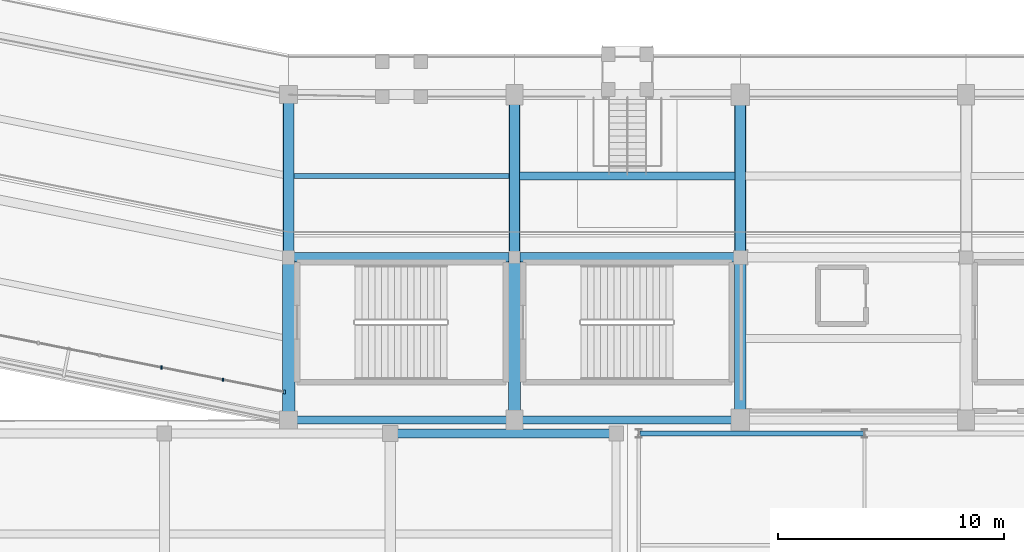
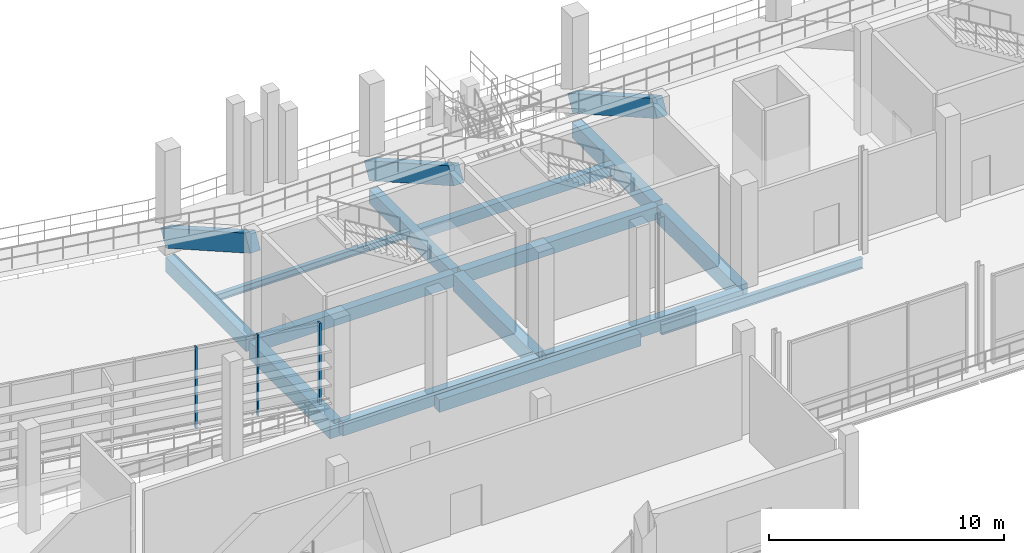
# One storey, part 22 of 127: 17 beams, 3 members, 1 element without a shape of its own.
"""IFC4 building model written with IfcOpenShell, lengths in metres."""

from ifc_helpers import new_model, si_unit, direction, frame, origin, origin_2d, place, context, subcontext, project, spatial, rectangle, i_section, extrude, material, material_profile, profile_set, type_object, element, aggregate, save


model = new_model("IFC4")

# Units and contexts
model_context = context("Model", 3, precision=1e-05, world=origin(), true_north=direction((0.0, 1.0)))
body_context = subcontext(model_context, "Body", "Model", "MODEL_VIEW")
ifc_project = project(units=[si_unit("LENGTHUNIT", "METRE"), si_unit("AREAUNIT", "SQUARE_METRE"), si_unit("VOLUMEUNIT", "CUBIC_METRE"), si_unit("PLANEANGLEUNIT", "RADIAN"), si_unit("MASSUNIT", "GRAM", prefix="KILO")], contexts=[model_context])

# Site, building, storey
site_placement = place(None, origin())
site = spatial("IfcSite", under=ifc_project, at=site_placement, CompositionType="ELEMENT")
building_placement = place(site_placement, origin())
building = spatial("IfcBuilding", under=site, at=building_placement, Name="Candeia Ridge Stadium", CompositionType="ELEMENT")
storey_placement = place(building_placement, frame((0.0, 0.0, 10.800048828125)))
storey = spatial("IfcBuildingStorey", under=building, at=storey_placement, Name="L02", CompositionType="ELEMENT", Elevation=10.800048828125)

# Beams
ifc_material_1 = material(Name="Concrete C45/55", Category="concrete")
ifc_material_profile_1 = material_profile(ifc_material_1, rectangle(XDim=0.5, YDim=0.89990234375, at=origin_2d()), Name="RC500x900", Category="concrete")
ifc_profile_set_1 = profile_set([ifc_material_profile_1], Name="Concrete C45/55")
beam_type_1 = type_object("IfcBeamType", Name="Club Stand Raker Beam RC500x900", PredefinedType="USERDEFINED", material=ifc_profile_set_1)
for number, where, z_axis, x_axis, name in (
    (1, (71.0, 33.39990234375, 0.624267578125), (0.0, -0.869244421404, 0.494382580455), (1.0, 0.0, 0.0), "Stand T2 inclined concrete raker beam 19"),
    (2, (81.0, 33.39990234375, 0.624267578125), (0.0, -0.869244421404, 0.494382580455), (1.0, 0.0, 0.0), "Stand T2 inclined concrete raker beam 20"),
    (3, (91.0, 33.39990234375, 0.624267578125), (0.0, -0.869244421404, 0.494382580455), (1.0, 0.0, 0.0), "Stand T2 inclined concrete raker beam 21"),
):
    element("IfcBeam", number, at=place(storey_placement, frame(where, z_axis=z_axis, x_axis=x_axis)), inside=storey, type_object=beam_type_1, Name=name, ObjectType="RAKER", PredefinedType="USERDEFINED", context=body_context, shape_type="SweptSolid", body=[
        extrude(rectangle(XDim=0.5, YDim=0.89990234375, at=origin_2d()), origin(), (0.0, 0.0, 1.0), 8.282958984375),
    ])
ifc_material_2 = material(Name="Concrete C40/50", Category="concrete")
ifc_material_profile_2 = material_profile(ifc_material_2, rectangle(XDim=0.35009765625, YDim=0.550048828125, at=origin_2d()), Name="RC350x550", Category="concrete")
ifc_profile_set_2 = profile_set([ifc_material_profile_2], Name="Concrete C40/50")
beam_type_2 = type_object("IfcBeamType", Name="Concourse Concrete Joist RC350x550", PredefinedType="JOIST", material=ifc_profile_set_2)
beam_1_placement = place(storey_placement, frame((81.221923828125, 29.800048828125, -0.53515625), z_axis=(1.0, 0.0, 0.0), x_axis=(0.0, 1.0, 0.0)))
element("IfcBeam", 4, at=beam_1_placement, inside=storey, type_object=beam_type_2, Name="Concourse secondary joist BM-L02-0405", PredefinedType="JOIST", context=body_context, shape_type="SweptSolid", body=[
    extrude(rectangle(XDim=0.35009765625, YDim=0.550048828125, at=origin_2d()), origin(), (0.0, 0.0, 1.0), 9.55615234375),
])
ifc_material_3 = material(Name="Steel ASTM A572 Grade 50", Category="steel")
ifc_material_profile_3 = material_profile(ifc_material_3, i_section(OverallWidth=0.205078125, OverallDepth=0.35400390625, WebThickness=0.009521484375, FlangeThickness=0.016845703125, FilletRadius=0.014892578125, at=origin_2d()), Name="W360x79", Category="steel")
ifc_profile_set_3 = profile_set([ifc_material_profile_3], Name="Steel ASTM A572 Grade 50")
beam_type_3 = type_object("IfcBeamType", Name="Concourse Secondary Joist W360x79", PredefinedType="JOIST", material=ifc_profile_set_3)
beam_2_placement = place(storey_placement, frame((71.221923828125, 29.800048828125, -0.43701171875), z_axis=(1.0, 0.0, 0.0), x_axis=(0.0, 1.0, 0.0)))
element("IfcBeam", 5, at=beam_2_placement, inside=storey, type_object=beam_type_3, Name="Concourse secondary joist BM-L02-0401", PredefinedType="JOIST", context=body_context, shape_type="SweptSolid", body=[
    extrude(i_section(OverallWidth=0.205078125, OverallDepth=0.35400390625, WebThickness=0.009521484375, FlangeThickness=0.016845703125, FilletRadius=0.014892578125, at=origin_2d()), origin(), (0.0, 0.0, 1.0), 9.55615234375),
])

# Curtain wall, members
ifc_material_4 = material(Name="Aluminium Anodized Warm Bronze", Category="aluminium")
curtain_wall_type = type_object("IfcCurtainWallType", Name="Concourse Recessed Unitised Curtain Wall", PredefinedType="NOTDEFINED", material=ifc_material_4)
curtain_wall_placement = place(storey_placement, origin())
curtain_wall = element("IfcCurtainWall", 6, at=curtain_wall_placement, inside=storey, type_object=curtain_wall_type, Name="Unitised curtain wall CW-BWL-L02-17", PredefinedType="NOTDEFINED")
ifc_material_profile_4 = material_profile(ifc_material_4, rectangle(XDim=0.090087890625, YDim=0.179931640625, at=origin_2d()), Name="CWM-90x180", Category="aluminium")
ifc_profile_set_4 = profile_set([ifc_material_profile_4], Name="Aluminium Anodized Warm Bronze")
member_type_1 = type_object("IfcMemberType", Name="Curtain Wall Primary Mullion 90x180", PredefinedType="MULLION", material=ifc_profile_set_4)
member_1_placement = place(storey_placement, frame((70.823486328125, 20.235107421875, 0.0), z_axis=(0.0, 0.0, 1.0), x_axis=(1.0, 0.0, 0.0)))
member_1 = element("IfcMember", 7, at=member_1_placement, type_object=member_type_1, Name="Curtain wall mullion CW-BWL-L02-17-M7", PredefinedType="MULLION", context=body_context, shape_type="SweptSolid", body=[
    extrude(rectangle(XDim=0.090087890625, YDim=0.179931640625, at=origin_2d()), origin(), (0.0, 0.0, 1.0), 4.21484375),
])
ifc_material_profile_5 = material_profile(ifc_material_4, rectangle(XDim=0.074951171875, YDim=0.14990234375, at=origin_2d()), Name="CWM-75x150", Category="aluminium")
ifc_profile_set_5 = profile_set([ifc_material_profile_5], Name="Aluminium Anodized Warm Bronze")
member_type_2 = type_object("IfcMemberType", Name="Curtain Wall Secondary Mullion 75x150", PredefinedType="MULLION", material=ifc_profile_set_5)
member_2_placement = place(storey_placement, frame((65.3701171875, 21.31982421875, 0.0), z_axis=(0.0, 0.0, 1.0), x_axis=(1.0, 0.0, 0.0)))
member_2 = element("IfcMember", 8, at=member_2_placement, type_object=member_type_2, Name="Curtain wall mullion CW-BWL-L02-17-M5", PredefinedType="MULLION", context=body_context, shape_type="SweptSolid", body=[
    extrude(rectangle(XDim=0.074951171875, YDim=0.14990234375, at=origin_2d()), origin(), (0.0, 0.0, 1.0), 4.21484375),
])
member_3_placement = place(storey_placement, frame((68.0966796875, 20.777587890625, 0.0), z_axis=(0.0, 0.0, 1.0), x_axis=(1.0, 0.0, 0.0)))
member_3 = element("IfcMember", 9, at=member_3_placement, type_object=member_type_2, Name="Curtain wall mullion CW-BWL-L02-17-M6", PredefinedType="MULLION", context=body_context, shape_type="SweptSolid", body=[
    extrude(rectangle(XDim=0.074951171875, YDim=0.14990234375, at=origin_2d()), origin(), (0.0, 0.0, 1.0), 4.21484375),
])
aggregate(curtain_wall, [member_2, member_3, member_1])

# Beams
ifc_material_profile_6 = material_profile(ifc_material_2, rectangle(XDim=0.409912109375, YDim=0.659912109375, at=origin_2d()), Name="RC410x660", Category="concrete")
ifc_profile_set_6 = profile_set([ifc_material_profile_6], Name="Concrete C40/50")
beam_type_4 = type_object("IfcBeamType", Name="Frame Girder RC410x660", PredefinedType="BEAM", material=ifc_profile_set_6)
for number, where, z_axis, x_axis, name in (
    (10, (71.159912109375, 26.199951171875, -0.590087890625), (1.0, 0.0, 0.0), (0.0, 1.0, 0.0), "Concourse spine girder BM-L02-0399"),
    (11, (81.159912109375, 26.199951171875, -0.590087890625), (1.0, 0.0, 0.0), (0.0, 1.0, 0.0), "Concourse spine girder BM-L02-0403"),
):
    element("IfcBeam", number, at=place(storey_placement, frame(where, z_axis=z_axis, x_axis=x_axis)), inside=storey, type_object=beam_type_4, Name=name, PredefinedType="BEAM", context=body_context, shape_type="SweptSolid", body=[
        extrude(rectangle(XDim=0.409912109375, YDim=0.659912109375, at=origin_2d()), origin(), (0.0, 0.0, 1.0), 9.68017578125),
    ])
ifc_material_profile_7 = material_profile(ifc_material_2, rectangle(XDim=0.429931640625, YDim=0.739990234375, at=origin_2d()), Name="RC430x740", Category="concrete")
ifc_profile_set_7 = profile_set([ifc_material_profile_7], Name="Concrete C40/50")
beam_type_5 = type_object("IfcBeamType", Name="Frame Girder RC430x740", PredefinedType="BEAM", material=ifc_profile_set_7)
beam_3_placement = place(storey_placement, frame((81.0, 33.239990234375, -0.630126953125), z_axis=(0.0, -1.0, 0.0), x_axis=(1.0, 0.0, 0.0)))
element("IfcBeam", 12, at=beam_3_placement, inside=storey, type_object=beam_type_5, Name="Bowl radial girder BM-L02-0279", PredefinedType="BEAM", context=body_context, shape_type="SweptSolid", body=[
    extrude(rectangle(XDim=0.429931640625, YDim=0.739990234375, at=origin_2d()), origin(), (0.0, 0.0, 1.0), 6.8798828125),
])
ifc_material_profile_8 = material_profile(ifc_material_2, rectangle(XDim=0.469970703125, YDim=0.760009765625, at=origin_2d()), Name="RC470x760", Category="concrete")
ifc_profile_set_8 = profile_set([ifc_material_profile_8], Name="Concrete C40/50")
beam_type_6 = type_object("IfcBeamType", Name="Frame Girder RC470x760", PredefinedType="BEAM", material=ifc_profile_set_8)
beam_4_placement = place(storey_placement, frame((71.0, 33.239990234375, -0.64013671875), z_axis=(0.0, -1.0, 0.0), x_axis=(1.0, 0.0, 0.0)))
element("IfcBeam", 13, at=beam_4_placement, inside=storey, type_object=beam_type_6, Name="Bowl radial girder BM-L02-0277", PredefinedType="BEAM", context=body_context, shape_type="SweptSolid", body=[
    extrude(rectangle(XDim=0.469970703125, YDim=0.760009765625, at=origin_2d()), origin(), (0.0, 0.0, 1.0), 6.8798828125),
])
ifc_material_profile_9 = material_profile(ifc_material_1, rectangle(XDim=0.47998046875, YDim=0.820068359375, at=origin_2d()), Name="RC480x820", Category="concrete")
ifc_profile_set_9 = profile_set([ifc_material_profile_9], Name="Concrete C45/55")
beam_type_7 = type_object("IfcBeamType", Name="Frame Girder RC480x820", PredefinedType="BEAM", material=ifc_profile_set_9)
beam_5_placement = place(storey_placement, frame((91.0, 33.239990234375, -0.670166015625), z_axis=(0.0, -1.0, 0.0), x_axis=(1.0, 0.0, 0.0)))
element("IfcBeam", 14, at=beam_5_placement, inside=storey, type_object=beam_type_7, Name="Bowl radial girder BM-L02-0281", PredefinedType="BEAM", context=body_context, shape_type="SweptSolid", body=[
    extrude(rectangle(XDim=0.47998046875, YDim=0.820068359375, at=origin_2d()), origin(), (0.0, 0.0, 1.0), 6.8798828125),
])
ifc_material_profile_10 = material_profile(ifc_material_1, rectangle(XDim=0.5, YDim=0.85009765625, at=origin_2d()), Name="RC500x850", Category="concrete")
ifc_profile_set_10 = profile_set([ifc_material_profile_10], Name="Concrete C45/55")
beam_type_8 = type_object("IfcBeamType", Name="Frame Girder RC500x850", PredefinedType="BEAM", material=ifc_profile_set_10)
beam_6_placement = place(storey_placement, frame((91.0, 26.0400390625, -0.68505859375), z_axis=(0.0, -1.0, 0.0), x_axis=(1.0, 0.0, 0.0)))
element("IfcBeam", 15, at=beam_6_placement, inside=storey, type_object=beam_type_8, Name="Bowl radial girder BM-L02-0282", PredefinedType="BEAM", context=body_context, shape_type="SweptSolid", body=[
    extrude(rectangle(XDim=0.5, YDim=0.85009765625, at=origin_2d()), origin(), (0.0, 0.0, 1.0), 6.880126953125),
])
ifc_material_profile_11 = material_profile(ifc_material_1, rectangle(XDim=0.52001953125, YDim=0.8798828125, at=origin_2d()), Name="RC520x880", Category="concrete")
ifc_profile_set_11 = profile_set([ifc_material_profile_11], Name="Concrete C45/55")
beam_type_9 = type_object("IfcBeamType", Name="Frame Girder RC520x880", PredefinedType="BEAM", material=ifc_profile_set_11)
beam_7_placement = place(storey_placement, frame((81.0, 26.0400390625, -0.699951171875), z_axis=(0.0, -1.0, 0.0), x_axis=(1.0, 0.0, 0.0)))
element("IfcBeam", 16, at=beam_7_placement, inside=storey, type_object=beam_type_9, Name="Bowl radial girder BM-L02-0280", PredefinedType="BEAM", context=body_context, shape_type="SweptSolid", body=[
    extrude(rectangle(XDim=0.52001953125, YDim=0.8798828125, at=origin_2d()), origin(), (0.0, 0.0, 1.0), 6.880126953125),
])
ifc_material_profile_12 = material_profile(ifc_material_1, rectangle(XDim=0.550048828125, YDim=0.919921875, at=origin_2d()), Name="RC550x920", Category="concrete")
ifc_profile_set_12 = profile_set([ifc_material_profile_12], Name="Concrete C45/55")
beam_type_10 = type_object("IfcBeamType", Name="Frame Girder RC550x920", PredefinedType="BEAM", material=ifc_profile_set_12)
beam_8_placement = place(storey_placement, frame((71.0, 26.0400390625, -0.719970703125), z_axis=(0.0, -1.0, 0.0), x_axis=(1.0, 0.0, 0.0)))
element("IfcBeam", 17, at=beam_8_placement, inside=storey, type_object=beam_type_10, Name="Bowl radial girder BM-L02-0278", PredefinedType="BEAM", context=body_context, shape_type="SweptSolid", body=[
    extrude(rectangle(XDim=0.550048828125, YDim=0.919921875, at=origin_2d()), origin(), (0.0, 0.0, 1.0), 6.880126953125),
])
ifc_material_profile_13 = material_profile(ifc_material_3, i_section(OverallWidth=0.208984375, OverallDepth=0.532958984375, WebThickness=0.01025390625, FlangeThickness=0.015625, FilletRadius=0.013916015625, at=origin_2d()), Name="W530x92", Category="steel")
ifc_profile_set_13 = profile_set([ifc_material_profile_13], Name="Steel ASTM A572 Grade 50")
beam_type_11 = type_object("IfcBeamType", Name="Gate Portal Girder W530x92", PredefinedType="BEAM", material=ifc_profile_set_13)
beam_9_placement = place(storey_placement, frame((86.550048828125, 18.39990234375, -0.526611328125), z_axis=(1.0, 0.0, 0.0), x_axis=(0.0, 1.0, 0.0)))
element("IfcBeam", 18, at=beam_9_placement, inside=storey, type_object=beam_type_11, Name="Structural girder BM-L02-2195", PredefinedType="BEAM", context=body_context, shape_type="SweptSolid", body=[
    extrude(i_section(OverallWidth=0.208984375, OverallDepth=0.532958984375, WebThickness=0.01025390625, FlangeThickness=0.015625, FilletRadius=0.013916015625, at=origin_2d()), origin(), (0.0, 0.0, 1.0), 9.89990234375),
])
ifc_material_profile_14 = material_profile(ifc_material_1, rectangle(XDim=0.360107421875, YDim=0.719970703125, at=origin_2d()), Name="RC360x720", Category="concrete")
ifc_profile_set_14 = profile_set([ifc_material_profile_14], Name="Concrete C45/55")
beam_type_12 = type_object("IfcBeamType", Name="Spandrel Beam RC360x720", PredefinedType="SPANDREL", material=ifc_profile_set_14)
for number, where, z_axis, x_axis, name in (
    (19, (71.159912109375, 19.0, -0.6201171875), (1.0, 0.0, 0.0), (0.0, 1.0, 0.0), "Bowl perimeter spandrel BM-L02-0400"),
    (20, (81.159912109375, 19.0, -0.6201171875), (1.0, 0.0, 0.0), (0.0, 1.0, 0.0), "Bowl perimeter spandrel BM-L02-0404"),
):
    element("IfcBeam", number, at=place(storey_placement, frame(where, z_axis=z_axis, x_axis=x_axis)), inside=storey, type_object=beam_type_12, Name=name, PredefinedType="SPANDREL", context=body_context, shape_type="SweptSolid", body=[
        extrude(rectangle(XDim=0.360107421875, YDim=0.719970703125, at=origin_2d()), origin(), (0.0, 0.0, 1.0), 9.68017578125),
    ])
ifc_material_profile_15 = material_profile(ifc_material_2, rectangle(XDim=0.39990234375, YDim=0.64990234375, at=origin_2d()), Name="RC400x650", Category="concrete")
ifc_profile_set_15 = profile_set([ifc_material_profile_15], Name="Concrete C40/50")
beam_type_13 = type_object("IfcBeamType", Name="Wing Primary Girder RC400x650", PredefinedType="BEAM", material=ifc_profile_set_15)
beam_10_placement = place(storey_placement, frame((75.550048828125, 18.39990234375, -0.5849609375), z_axis=(1.0, 0.0, 0.0), x_axis=(0.0, 1.0, 0.0)))
element("IfcBeam", 21, at=beam_10_placement, inside=storey, type_object=beam_type_13, Name="Structural girder BM-L02-2147", PredefinedType="BEAM", context=body_context, shape_type="SweptSolid", body=[
    extrude(rectangle(XDim=0.39990234375, YDim=0.64990234375, at=origin_2d()), origin(), (0.0, 0.0, 1.0), 9.89990234375),
])

save(model, "model.ifc")
